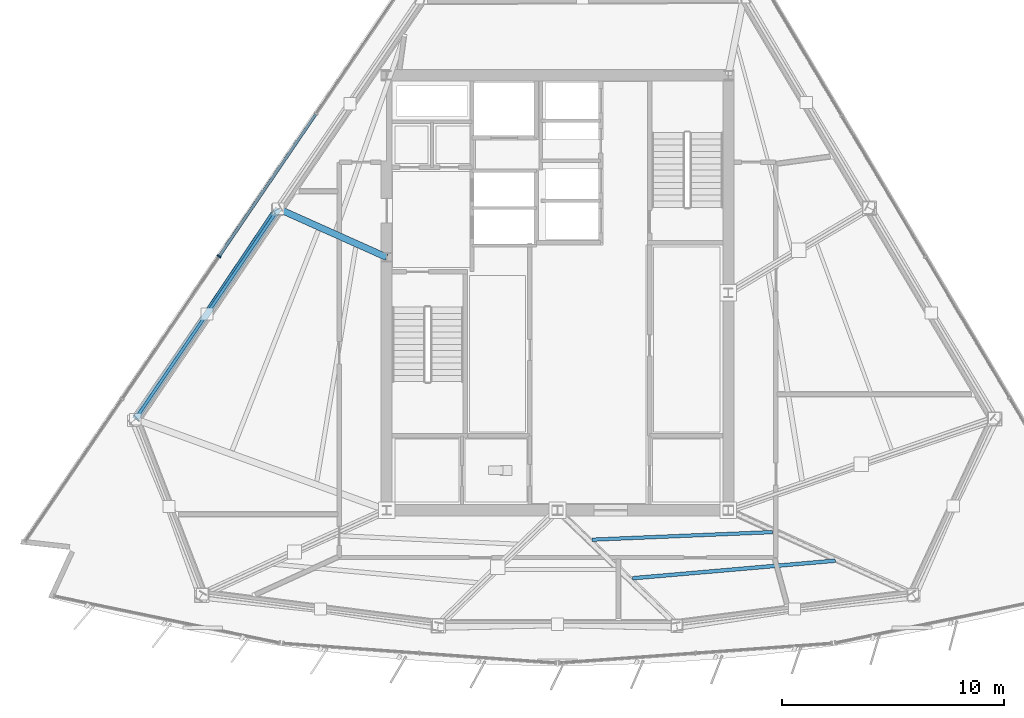
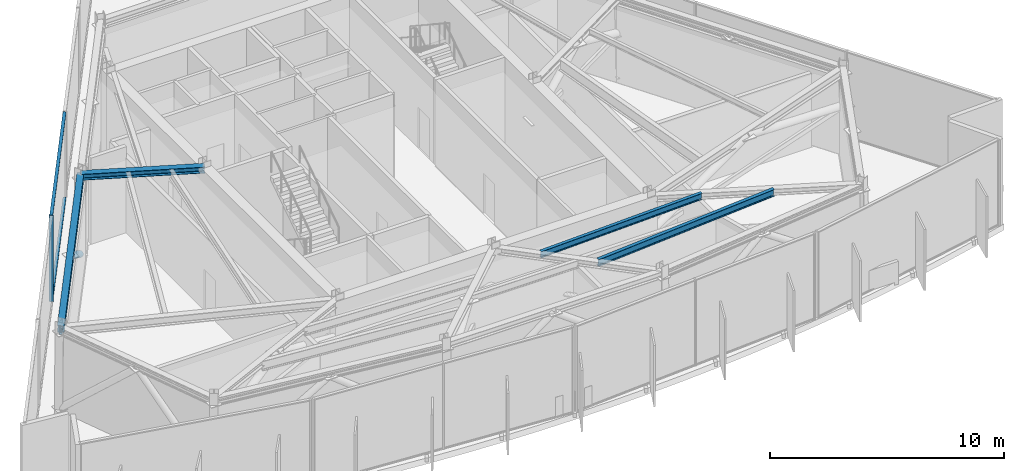
# One storey, part 3 of 14: 5 members, 4 beams, 1 element without a shape of its own.
"""IFC4 building model written with IfcOpenShell, lengths in metres."""

from ifc_helpers import new_model, si_unit, direction, frame, origin, origin_2d, place, context, subcontext, project, spatial, rectangle, hollow_rectangle, hollow_circle, i_section, extrude, material, material_profile, profile_set, type_object, element, aggregate, save


model = new_model("IFC4")

# Units and contexts
model_context = context("Model", 3, precision=1e-05, world=origin(), true_north=direction((0.0, 1.0)))
body_context = subcontext(model_context, "Body", "Model", "MODEL_VIEW")
ifc_project = project(units=[si_unit("LENGTHUNIT", "METRE"), si_unit("AREAUNIT", "SQUARE_METRE"), si_unit("VOLUMEUNIT", "CUBIC_METRE"), si_unit("PLANEANGLEUNIT", "RADIAN"), si_unit("MASSUNIT", "GRAM", prefix="KILO")], contexts=[model_context])

# Site, building, storey
site_placement = place(None, origin())
site = spatial("IfcSite", under=ifc_project, at=site_placement, CompositionType="ELEMENT")
building_placement = place(site_placement, origin())
building = spatial("IfcBuilding", under=site, at=building_placement, Name="Savorim Split Tower", CompositionType="ELEMENT")
storey_placement = place(building_placement, frame((0.0, 0.0, 241.5)))
storey = spatial("IfcBuildingStorey", under=building, at=storey_placement, Name="L64", CompositionType="ELEMENT", Elevation=241.5)

# Beams
ifc_material_1 = material(Name="Steel S355", Category="steel")
ifc_material_profile_1 = material_profile(ifc_material_1, i_section(OverallWidth=0.159912109375, OverallDepth=0.330078125, WebThickness=0.007568359375, FlangeThickness=0.011474609375, FilletRadius=0.01806640625, at=origin_2d()), Name="IPE 330")
ifc_profile_set_1 = profile_set([ifc_material_profile_1], Name="Steel S355")
beam_type_1 = type_object("IfcBeamType", Name="BM-JST-IPE330", PredefinedType="JOIST", material=ifc_profile_set_1)
beam_1_placement = place(storey_placement, frame((1.55419921875, -10.728515625, 4.3349609375), z_axis=(0.999120518307, 0.041930775072, 0.0), x_axis=(-0.041930775072, 0.999120518307, 0.0)))
element("IfcBeam", 1, at=beam_1_placement, inside=storey, type_object=beam_type_1, Name="L64 Secondary Floor Joist JS-05", PredefinedType="JOIST", context=body_context, shape_type="SweptSolid", body=[
    extrude(i_section(OverallWidth=0.159912109375, OverallDepth=0.330078125, WebThickness=0.007568359375, FlangeThickness=0.011474609375, FilletRadius=0.01806640625, at=origin_2d()), origin(), (0.0, 0.0, 1.0), 8.1513671875),
])
ifc_material_profile_2 = material_profile(ifc_material_1, i_section(OverallWidth=0.169921875, OverallDepth=0.360107421875, WebThickness=0.008056640625, FlangeThickness=0.0126953125, FilletRadius=0.01806640625, at=origin_2d()), Name="IPE 360")
ifc_profile_set_2 = profile_set([ifc_material_profile_2], Name="Steel S355")
beam_type_2 = type_object("IfcBeamType", Name="BM-JST-IPE360", PredefinedType="JOIST", material=ifc_profile_set_2)
beam_2_placement = place(storey_placement, frame((3.377197265625, -12.46728515625, 4.320068359375), z_axis=(0.99627027259, 0.086287565459, 0.0), x_axis=(-0.086287565459, 0.99627027259, 0.0)))
element("IfcBeam", 2, at=beam_2_placement, inside=storey, type_object=beam_type_2, Name="L64 Secondary Floor Joist JS-04", PredefinedType="JOIST", context=body_context, shape_type="SweptSolid", body=[
    extrude(i_section(OverallWidth=0.169921875, OverallDepth=0.360107421875, WebThickness=0.008056640625, FlangeThickness=0.0126953125, FilletRadius=0.01806640625, at=origin_2d()), origin(), (0.0, 0.0, 1.0), 9.178466796875),
])
ifc_material_profile_3 = material_profile(ifc_material_1, i_section(OverallWidth=0.300048828125, OverallDepth=0.320068359375, WebThickness=0.011474609375, FlangeThickness=0.0205078125, FilletRadius=0.027099609375, at=origin_2d()), Name="HEB 320")
ifc_profile_set_3 = profile_set([ifc_material_profile_3], Name="Steel S355")
beam_type_3 = type_object("IfcBeamType", Name="BM-PRI-HEB320", PredefinedType="BEAM", material=ifc_profile_set_3)
beam_3_placement = place(storey_placement, frame((-12.5712890625, 4.1806640625, 4.340087890625), z_axis=(0.912721750482, -0.408581700762, 0.0), x_axis=(0.408581700762, 0.912721750482, 0.0)))
element("IfcBeam", 3, at=beam_3_placement, inside=storey, type_object=beam_type_3, Name="L64 Primary Floor Girder RG-09", PredefinedType="BEAM", context=body_context, shape_type="SweptSolid", body=[
    extrude(i_section(OverallWidth=0.300048828125, OverallDepth=0.320068359375, WebThickness=0.011474609375, FlangeThickness=0.0205078125, FilletRadius=0.027099609375, at=origin_2d()), origin(), (0.0, 0.0, 1.0), 5.337158203125),
])
ifc_material_profile_4 = material_profile(ifc_material_1, i_section(OverallWidth=0.300048828125, OverallDepth=0.35009765625, WebThickness=0.010009765625, FlangeThickness=0.017578125, FilletRadius=0.027099609375, at=origin_2d()), Name="HEA 360")
ifc_profile_set_4 = profile_set([ifc_material_profile_4], Name="Steel S355")
beam_type_4 = type_object("IfcBeamType", Name="BM-SPN-HEA360", PredefinedType="SPANDREL", material=ifc_profile_set_4)
beam_4_placement = place(storey_placement, frame((-12.5712890625, 4.1806640625, 4.324951171875), z_axis=(-0.562473661458, -0.826815203154, 0.0), x_axis=(0.826815203154, -0.562473661458, 0.0)))
element("IfcBeam", 4, at=beam_4_placement, inside=storey, type_object=beam_type_4, Name="L64 Perimeter Spandrel Beam 9", PredefinedType="SPANDREL", context=body_context, shape_type="SweptSolid", body=[
    extrude(i_section(OverallWidth=0.300048828125, OverallDepth=0.35009765625, WebThickness=0.010009765625, FlangeThickness=0.017578125, FilletRadius=0.027099609375, at=origin_2d()), origin(), (0.0, 0.0, 1.0), 11.46630859375),
])

# Curtain wall, members
ifc_material_2 = material(Name="Dark Ceramic-Fritted Insulated Glass", Category="glass")
curtain_wall_type = type_object("IfcCurtainWallType", Name="CW-REFUGE-LVR", PredefinedType="NOTDEFINED", material=ifc_material_2)
curtain_wall_placement = place(storey_placement, origin())
curtain_wall = element("IfcCurtainWall", 5, at=curtain_wall_placement, inside=storey, type_object=curtain_wall_type, Name="L64 Curtain Wall CW-L64-WEST", PredefinedType="NOTDEFINED")
ifc_material_3 = material(Name="Charcoal Anodised Aluminium", Category="aluminium")
ifc_material_profile_5 = material_profile(ifc_material_3, rectangle(XDim=0.179931640625, YDim=0.06494140625, at=origin_2d()), Name="ALU-M 180x65")
ifc_profile_set_5 = profile_set([ifc_material_profile_5], Name="Charcoal Anodised Aluminium")
member_type_1 = type_object("IfcMemberType", Name="CWM-180x65", PredefinedType="MULLION", material=ifc_profile_set_5)
member_1_placement = place(storey_placement, frame((-15.2509765625, 2.04296875, 0.0), z_axis=(0.0, 0.0, 1.0), x_axis=(0.826818160785, -0.562469313826, 0.0)))
member_1 = element("IfcMember", 6, at=member_1_placement, type_object=member_type_1, Name="CW-06 mullion 4", PredefinedType="MULLION", context=body_context, shape_type="SweptSolid", body=[
    extrude(rectangle(XDim=0.179931640625, YDim=0.06494140625, at=origin_2d()), origin(), (0.0, 0.0, 1.0), 4.5),
])
ifc_material_profile_6 = material_profile(ifc_material_3, rectangle(XDim=0.139892578125, YDim=0.054931640625, at=origin_2d()), Name="ALU-T 140x55")
ifc_profile_set_6 = profile_set([ifc_material_profile_6], Name="Charcoal Anodised Aluminium")
member_type_2 = type_object("IfcMemberType", Name="CWT-140x55", PredefinedType="USERDEFINED", material=ifc_profile_set_6)
member_2_placement = place(storey_placement, frame((-10.896240234375, 8.4443359375, 0.027587890625), z_axis=(-0.562465920226, -0.826820469379, 0.0), x_axis=(0.826820469379, -0.562465920226, 0.0)))
member_2 = element("IfcMember", 7, at=member_2_placement, type_object=member_type_2, Name="CW-06 transom 3.1", ObjectType="TRANSOM", PredefinedType="USERDEFINED", context=body_context, shape_type="SweptSolid", body=[
    extrude(rectangle(XDim=0.139892578125, YDim=0.054931640625, at=origin_2d()), origin(), (0.0, 0.0, 1.0), 7.709716796875),
])
member_3_placement = place(storey_placement, frame((-10.896240234375, 8.4443359375, 4.472412109375), z_axis=(-0.562465920226, -0.826820469379, 0.0), x_axis=(0.826820469379, -0.562465920226, 0.0)))
member_3 = element("IfcMember", 8, at=member_3_placement, type_object=member_type_2, Name="CW-06 transom 3.2", ObjectType="TRANSOM", PredefinedType="USERDEFINED", context=body_context, shape_type="SweptSolid", body=[
    extrude(rectangle(XDim=0.139892578125, YDim=0.054931640625, at=origin_2d()), origin(), (0.0, 0.0, 1.0), 7.709716796875),
])
aggregate(curtain_wall, [member_1, member_2, member_3])

# Members
ifc_material_4 = material(Name="Steel S460", Category="steel")
ifc_material_profile_7 = material_profile(ifc_material_4, hollow_circle(Radius=0.161865234375, WallThickness=0.01611328125, at=origin_2d()), Name="CHS 323.9x16")
ifc_profile_set_7 = profile_set([ifc_material_profile_7], Name="Steel S460")
member_type_3 = type_object("IfcMemberType", Name="MBR-BLT-CHS324", PredefinedType="BRACE", material=ifc_profile_set_7)
member_4_placement = place(storey_placement, frame((-12.630615234375, 4.147705078125, 0.280029296875), z_axis=(-0.460223042852, -0.68437147071, 0.56553553461), x_axis=(0.829818860143, -0.558032847913, 0.0)))
element("IfcMember", 9, at=member_4_placement, inside=storey, type_object=member_type_3, Name="L64 Perimeter Belt Truss Brace 9A", PredefinedType="BRACE", context=body_context, shape_type="SweptSolid", body=[
    extrude(hollow_circle(Radius=0.161865234375, WallThickness=0.01611328125, at=origin_2d()), origin(), (0.0, 0.0, 1.0), 6.878173828125),
])
ifc_material_profile_8 = material_profile(ifc_material_1, hollow_rectangle(XDim=0.14990234375, YDim=0.25, WallThickness=0.012451171875, InnerFilletRadius=0.012451171875, OuterFilletRadius=0.02490234375, at=origin_2d()), Name="RHS 250x150x12.5")
ifc_profile_set_8 = profile_set([ifc_material_profile_8], Name="Steel S355")
member_type_4 = type_object("IfcMemberType", Name="MBR-CHD-RHS250", PredefinedType="CHORD", material=ifc_profile_set_8)
member_5_placement = place(storey_placement, frame((-12.57958984375, 4.176025390625, 4.169921875), z_axis=(-0.562468905401, -0.826818438629, 0.0), x_axis=(0.826818438629, -0.562468905401, 0.0)))
element("IfcMember", 10, at=member_5_placement, inside=storey, type_object=member_type_4, Name="L64 Perimeter Belt Truss Chord 9", PredefinedType="CHORD", context=body_context, shape_type="SweptSolid", body=[
    extrude(hollow_rectangle(XDim=0.14990234375, YDim=0.25, WallThickness=0.012451171875, InnerFilletRadius=0.012451171875, OuterFilletRadius=0.02490234375, at=origin_2d()), origin(), (0.0, 0.0, 1.0), 11.473388671875),
])

save(model, "model.ifc")
